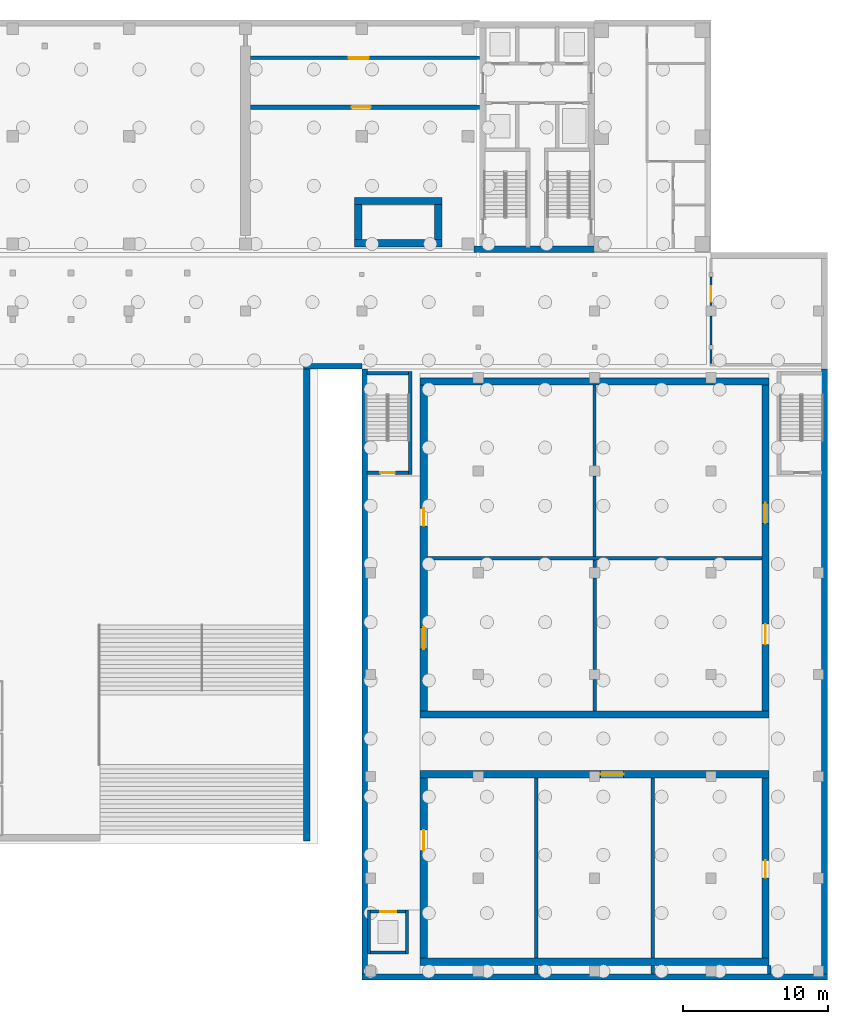
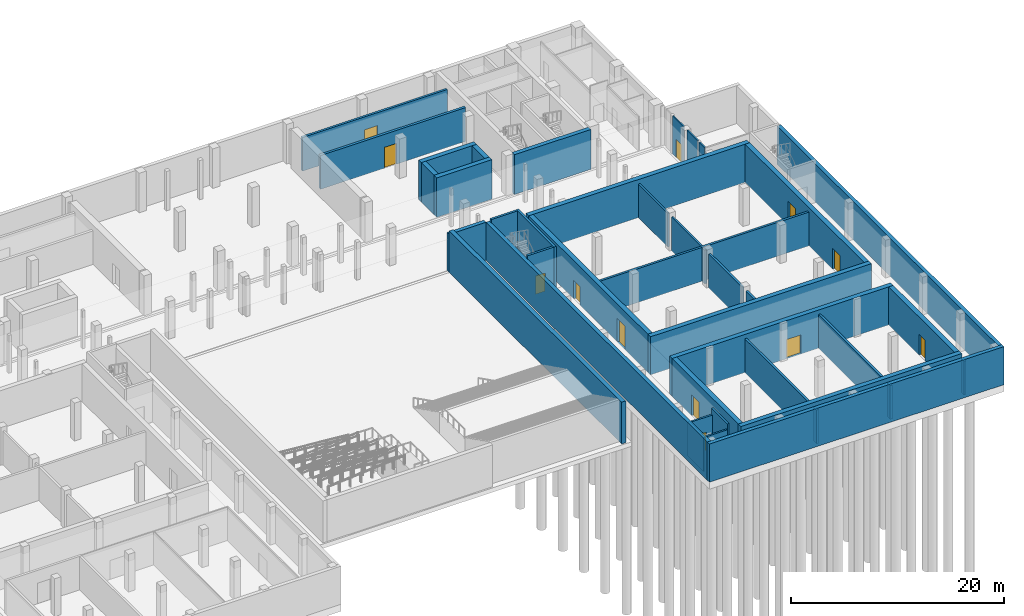
# One storey, part 8 of 21: 41 walls, 12 doors, 12 openings.
"""IFC4 building model written with IfcOpenShell, lengths in metres."""

from ifc_helpers import new_model, si_unit, direction, frame, frame_2d, origin, place, context, subcontext, project, spatial, rectangle, extrude, material, layer, layer_set, type_object, element, fill, save


model = new_model("IFC4")

# Units and contexts
model_context = context("Model", 3, precision=1e-05, world=origin(), true_north=direction((0.0, 1.0)))
body_context = subcontext(model_context, "Body", "Model", "MODEL_VIEW")
ifc_project = project(units=[si_unit("LENGTHUNIT", "METRE"), si_unit("AREAUNIT", "SQUARE_METRE"), si_unit("VOLUMEUNIT", "CUBIC_METRE"), si_unit("PLANEANGLEUNIT", "RADIAN"), si_unit("MASSUNIT", "GRAM", prefix="KILO")], contexts=[model_context])

# Site, building, storey
site_placement = place(None, origin())
site = spatial("IfcSite", under=ifc_project, at=site_placement, CompositionType="ELEMENT")
building_placement = place(site_placement, origin())
building = spatial("IfcBuilding", under=site, at=building_placement, Name="Lantern Court Media Centre", CompositionType="ELEMENT")
storey_placement = place(building_placement, frame((0.0, 0.0, -4.800048828125)))
storey = spatial("IfcBuildingStorey", under=building, at=storey_placement, Name="B1", CompositionType="ELEMENT", Elevation=-4.800048828125)

# Wall, opening, door
ifc_material_1 = material(Name="Concrete blockwork C20", Category="masonry")
ifc_layer_1 = layer(ifc_material_1, 0.280029296875)
ifc_layer_set_1 = layer_set([ifc_layer_1], Name="Concrete blockwork C20")
wall_type_1 = type_object("IfcWallType", Name="Archive humidity and fire wall 280", PredefinedType="PARTITIONING", material=ifc_layer_set_1)
wall_1_placement = place(storey_placement, frame((64.35498046875, 58.0, 0.0), z_axis=(0.0, 0.0, 1.0), x_axis=(1.0, 0.0, 0.0)))
wall_1 = element("IfcWall", 1, at=wall_1_placement, inside=storey, type_object=wall_type_1, Name="B1 partition 038", PredefinedType="PARTITIONING", context=body_context, shape_type="SweptSolid", body=[
    extrude(rectangle(XDim=15.7451171875, YDim=0.280029296875, at=frame_2d((7.87255859375, 0.0))), origin(), (0.0, 0.0, 1.0), 3.880126953125),
])
opening_1_placement = place(wall_1_placement, frame((6.945068359375, 0.0, 0.0)))
opening_1 = element("IfcOpeningElement", 2, at=opening_1_placement, cuts=wall_1, Name="Opening B1-027", PredefinedType="OPENING", context=body_context, shape_type="SweptSolid", body=[
    extrude(rectangle(XDim=1.300048828125, YDim=2.39990234375, at=frame_2d((0.64990234375, 1.199951171875))), frame((0.0, 0.14990234375, 0.0), z_axis=(0.0, -1.0, 0.0), x_axis=(1.0, 0.0, 0.0)), (0.0, 0.0, 1.0), 0.300048828125),
])
ifc_material_2 = material(Name="Steel door leaf", Category="steel")
door_type_1 = type_object("IfcDoorType", Name="Archive vault door 1300x2400", OperationType="NOTDEFINED", PredefinedType="DOOR", material=ifc_material_2)
door_1_placement = place(opening_1_placement, origin())
door_1 = element("IfcDoor", 3, at=door_1_placement, inside=storey, type_object=door_type_1, Name="B1 Film Archive Vault door", OperationType="SINGLE_SWING_RIGHT", OverallHeight=2.39990234375, OverallWidth=1.300048828125, PredefinedType="DOOR", context=body_context, shape_type="SweptSolid", body=[
    extrude(rectangle(XDim=1.300048828125, YDim=2.39990234375, at=frame_2d((0.64990234375, 1.199951171875))), frame((0.0, 0.02490234375, 0.0), z_axis=(0.0, -1.0, 0.0), x_axis=(1.0, 0.0, 0.0)), (0.0, 0.0, 1.0), 0.050048828125),
])
fill(opening_1, door_1)

# Walls
ifc_layer_2 = layer(ifc_material_1, 0.199951171875)
ifc_layer_set_2 = layer_set([ifc_layer_2], Name="Concrete blockwork C20")
wall_type_2 = type_object("IfcWallType", Name="Fire-rated blockwork wall 200", PredefinedType="PARTITIONING", material=ifc_layer_set_2)
wall_2_placement = place(storey_placement, frame((88.0, 27.1201171875, 0.0), z_axis=(0.0, 0.0, 1.0), x_axis=(0.0, 1.0, 0.0)))
element("IfcWall", 4, at=wall_2_placement, inside=storey, type_object=wall_type_2, Name="B1 partition 033", PredefinedType="PARTITIONING", context=body_context, shape_type="SweptSolid", body=[
    extrude(rectangle(XDim=5.52490234375, YDim=0.199951171875, at=frame_2d((2.762451171875, 0.0))), origin(), (0.0, 0.0, 1.0), 3.880126953125),
])
wall_3_placement = place(storey_placement, frame((88.0, 33.35498046875, 0.0), z_axis=(0.0, 0.0, 1.0), x_axis=(0.0, 1.0, 0.0)))
element("IfcWall", 5, at=wall_3_placement, inside=storey, type_object=wall_type_2, Name="B1 partition 034", PredefinedType="PARTITIONING", context=body_context, shape_type="SweptSolid", body=[
    extrude(rectangle(XDim=5.544921875, YDim=0.199951171875, at=frame_2d((2.7724609375, 0.0))), origin(), (0.0, 0.0, 1.0), 3.880126953125),
])
ifc_layer_3 = layer(ifc_material_1, 0.14990234375)
ifc_layer_set_3 = layer_set([ifc_layer_3], Name="Concrete blockwork C20")
wall_type_3 = type_object("IfcWallType", Name="Partition 150 masonry", PredefinedType="PARTITIONING", material=ifc_layer_set_3)
wall_4_placement = place(storey_placement, frame((96.0, 40.375, 0.0), z_axis=(0.0, 0.0, 1.0), x_axis=(0.0, 1.0, 0.0)))
element("IfcWall", 6, at=wall_4_placement, inside=storey, type_object=wall_type_3, Name="B1 partition 047", PredefinedType="PARTITIONING", context=body_context, shape_type="SweptSolid", body=[
    extrude(rectangle(XDim=0.969970703125, YDim=0.14990234375, at=frame_2d((0.48486328125, 0.0))), origin(), (0.0, 0.0, 1.0), 4.360107421875),
])
wall_5_placement = place(storey_placement, frame((96.0, 41.655029296875, 0.0), z_axis=(0.0, 0.0, 1.0), x_axis=(0.0, 1.0, 0.0)))
element("IfcWall", 7, at=wall_5_placement, inside=storey, type_object=wall_type_3, Name="B1 partition 048", PredefinedType="PARTITIONING", context=body_context, shape_type="SweptSolid", body=[
    extrude(rectangle(XDim=1.989990234375, YDim=0.14990234375, at=frame_2d((0.9951171875, 0.0))), origin(), (0.0, 0.0, 1.0), 4.360107421875),
])

# Wall, opening, door
wall_6_placement = place(storey_placement, frame((96.0, 44.35498046875, 0.0), z_axis=(0.0, 0.0, 1.0), x_axis=(0.0, 1.0, 0.0)))
wall_6 = element("IfcWall", 8, at=wall_6_placement, inside=storey, type_object=wall_type_3, Name="B1 partition 049", PredefinedType="PARTITIONING", context=body_context, shape_type="SweptSolid", body=[
    extrude(rectangle(XDim=1.989990234375, YDim=0.14990234375, at=frame_2d((0.9951171875, 0.0))), origin(), (0.0, 0.0, 1.0), 4.360107421875),
])
opening_2_placement = place(wall_6_placement, frame((0.281982421875, 0.0, 0.0)))
opening_2 = element("IfcOpeningElement", 9, at=opening_2_placement, cuts=wall_6, Name="Opening B1-024", PredefinedType="OPENING", context=body_context, shape_type="SweptSolid", body=[
    extrude(rectangle(XDim=1.050048828125, YDim=2.10009765625, at=frame_2d((0.52490234375, 1.050048828125))), frame((0.0, 0.0849609375, 0.0), z_axis=(0.0, -1.0, 0.0), x_axis=(1.0, 0.0, 0.0)), (0.0, 0.0, 1.0), 0.169921875),
])
door_type_2 = type_object("IfcDoorType", Name="Store fire door 1050x2100", OperationType="NOTDEFINED", PredefinedType="DOOR", material=ifc_material_2)
door_2_placement = place(opening_2_placement, frame((1.050048828125, 0.0, 0.0), z_axis=(0.0, 0.0, 1.0), x_axis=(-1.0, 0.0, 0.0)))
door_2 = element("IfcDoor", 10, at=door_2_placement, inside=storey, type_object=door_type_2, Name="B1 Metro Link Store door", OperationType="SINGLE_SWING_LEFT", OverallHeight=2.10009765625, OverallWidth=1.050048828125, PredefinedType="DOOR", context=body_context, shape_type="SweptSolid", body=[
    extrude(rectangle(XDim=1.050048828125, YDim=2.10009765625, at=frame_2d((0.52490234375, 1.050048828125))), frame((0.0, 0.02490234375, 0.0), z_axis=(0.0, -1.0, 0.0), x_axis=(1.0, 0.0, 0.0)), (0.0, 0.0, 1.0), 0.050048828125),
])
fill(opening_2, door_2)

# Walls
ifc_layer_4 = layer(ifc_material_1, 0.239990234375)
ifc_layer_set_4 = layer_set([ifc_layer_4], Name="Concrete blockwork C20")
wall_type_4 = type_object("IfcWallType", Name="Plant room acoustic fire wall 240", PredefinedType="PARTITIONING", material=ifc_layer_set_4)
wall_7_placement = place(storey_placement, frame((76.5048828125, 27.0, 0.0), z_axis=(0.0, 0.0, 1.0), x_axis=(1.0, 0.0, 0.0)))
element("IfcWall", 11, at=wall_7_placement, inside=storey, type_object=wall_type_4, Name="B1 partition 019", PredefinedType="PARTITIONING", context=body_context, shape_type="SweptSolid", body=[
    extrude(rectangle(XDim=22.990234375, YDim=0.239990234375, at=frame_2d((11.4951171875, 0.0))), origin(), (0.0, 0.0, 1.0), 3.880126953125),
])
for number, where, z_axis, x_axis, name in (
    (12, (100.0, -1.594970703125, 0.0), (0.0, 0.0, 1.0), (0.0, 1.0, 0.0), "B1 partition 025"),
    (13, (84.0, -1.594970703125, 0.0), (0.0, 0.0, 1.0), (0.0, 1.0, 0.0), "B1 partition 026"),
):
    element("IfcWall", number, at=place(storey_placement, frame(where, z_axis=z_axis, x_axis=x_axis)), inside=storey, type_object=wall_type_4, Name=name, PredefinedType="PARTITIONING", context=body_context, shape_type="SweptSolid", body=[
        extrude(rectangle(XDim=0.590087890625, YDim=0.239990234375, at=frame_2d((0.294921875, 0.0))), origin(), (0.0, 0.0, 1.0), 3.880126953125),
    ])
wall_8_placement = place(storey_placement, frame((84.0, -0.5, 0.0), z_axis=(0.0, 0.0, 1.0), x_axis=(0.0, 1.0, 0.0)))
element("IfcWall", 14, at=wall_8_placement, inside=storey, type_object=wall_type_4, Name="B1 partition 027", PredefinedType="PARTITIONING", context=body_context, shape_type="SweptSolid", body=[
    extrude(rectangle(XDim=12.39990234375, YDim=0.239990234375, at=frame_2d((6.199951171875, 0.0))), origin(), (0.0, 0.0, 1.0), 3.880126953125),
])
wall_9_placement = place(storey_placement, frame((92.0, -1.594970703125, 0.0), z_axis=(0.0, 0.0, 1.0), x_axis=(0.0, 1.0, 0.0)))
element("IfcWall", 15, at=wall_9_placement, inside=storey, type_object=wall_type_4, Name="B1 partition 028", PredefinedType="PARTITIONING", context=body_context, shape_type="SweptSolid", body=[
    extrude(rectangle(XDim=0.590087890625, YDim=0.239990234375, at=frame_2d((0.294921875, 0.0))), origin(), (0.0, 0.0, 1.0), 3.880126953125),
])
wall_10_placement = place(storey_placement, frame((92.0, -0.5, 0.0), z_axis=(0.0, 0.0, 1.0), x_axis=(0.0, 1.0, 0.0)))
element("IfcWall", 16, at=wall_10_placement, inside=storey, type_object=wall_type_4, Name="B1 partition 029", PredefinedType="PARTITIONING", context=body_context, shape_type="SweptSolid", body=[
    extrude(rectangle(XDim=12.39990234375, YDim=0.239990234375, at=frame_2d((6.199951171875, 0.0))), origin(), (0.0, 0.0, 1.0), 3.880126953125),
])
wall_11_placement = place(storey_placement, frame((88.0, 16.5048828125, 0.0), z_axis=(0.0, 0.0, 1.0), x_axis=(0.0, 1.0, 0.0)))
element("IfcWall", 17, at=wall_11_placement, inside=storey, type_object=wall_type_4, Name="B1 partition 030", PredefinedType="PARTITIONING", context=body_context, shape_type="SweptSolid", body=[
    extrude(rectangle(XDim=2.14013671875, YDim=0.239990234375, at=frame_2d((1.070068359375, 0.0))), origin(), (0.0, 0.0, 1.0), 3.880126953125),
])
wall_12_placement = place(storey_placement, frame((88.0, 19.35498046875, 0.0), z_axis=(0.0, 0.0, 1.0), x_axis=(0.0, 1.0, 0.0)))
element("IfcWall", 18, at=wall_12_placement, inside=storey, type_object=wall_type_4, Name="B1 partition 031", PredefinedType="PARTITIONING", context=body_context, shape_type="SweptSolid", body=[
    extrude(rectangle(XDim=6.2900390625, YDim=0.239990234375, at=frame_2d((3.14501953125, 0.0))), origin(), (0.0, 0.0, 1.0), 3.880126953125),
])
wall_13_placement = place(storey_placement, frame((88.0, 26.35498046875, 0.0), z_axis=(0.0, 0.0, 1.0), x_axis=(0.0, 1.0, 0.0)))
element("IfcWall", 19, at=wall_13_placement, inside=storey, type_object=wall_type_4, Name="B1 partition 032", PredefinedType="PARTITIONING", context=body_context, shape_type="SweptSolid", body=[
    extrude(rectangle(XDim=0.52490234375, YDim=0.239990234375, at=frame_2d((0.262451171875, 0.0))), origin(), (0.0, 0.0, 1.0), 3.880126953125),
])

# Wall, opening, door
wall_14_placement = place(storey_placement, frame((64.35498046875, 61.39990234375, 0.0), z_axis=(0.0, 0.0, 1.0), x_axis=(1.0, 0.0, 0.0)))
wall_14 = element("IfcWall", 20, at=wall_14_placement, inside=storey, type_object=wall_type_4, Name="B1 partition 040", PredefinedType="PARTITIONING", context=body_context, shape_type="SweptSolid", body=[
    extrude(rectangle(XDim=15.7451171875, YDim=0.239990234375, at=frame_2d((7.87255859375, 0.0))), origin(), (0.0, 0.0, 1.0), 3.880126953125),
])
opening_3_placement = place(wall_14_placement, frame((6.7333984375, 0.0, 0.0)))
opening_3 = element("IfcOpeningElement", 21, at=opening_3_placement, cuts=wall_14, Name="Opening B1-028", PredefinedType="OPENING", context=body_context, shape_type="SweptSolid", body=[
    extrude(rectangle(XDim=1.39990234375, YDim=2.39990234375, at=frame_2d((0.699951171875, 1.199951171875))), frame((0.0, 0.1298828125, 0.0), z_axis=(0.0, -1.0, 0.0), x_axis=(1.0, 0.0, 0.0)), (0.0, 0.0, 1.0), 0.260009765625),
])
door_type_3 = type_object("IfcDoorType", Name="Plant room fire door 1400x2400", OperationType="NOTDEFINED", PredefinedType="DOOR", material=ifc_material_2)
door_3_placement = place(opening_3_placement, origin())
door_3 = element("IfcDoor", 22, at=door_3_placement, inside=storey, type_object=door_type_3, Name="B1 Archive Air Handling Room door", OperationType="SINGLE_SWING_LEFT", OverallHeight=2.39990234375, OverallWidth=1.39990234375, PredefinedType="DOOR", context=body_context, shape_type="SweptSolid", body=[
    extrude(rectangle(XDim=1.39990234375, YDim=2.39990234375, at=frame_2d((0.699951171875, 1.199951171875))), frame((0.0, 0.02490234375, 0.0), z_axis=(0.0, -1.0, 0.0), x_axis=(1.0, 0.0, 0.0)), (0.0, 0.0, 1.0), 0.050048828125),
])
fill(opening_3, door_3)

# Walls
ifc_material_3 = material(Name="Concrete C40", Category="concrete")
ifc_layer_5 = layer(ifc_material_3, 0.5)
ifc_layer_set_5 = layer_set([ifc_layer_5], Name="Concrete C40")
wall_type_5 = type_object("IfcWallType", Name="RC BASEMENT BOX WALL 500", PredefinedType="SHEAR", material=ifc_layer_set_5)
for number, where, z_axis, x_axis, name in (
    (23, (71.5, 48.64990234375, 0.0), (0.0, 0.0, 1.0), (1.0, 0.0, 0.0), "WB-S-LC2-B1-S"),
    (24, (71.5, 51.550048828125, 0.0), (0.0, 0.0, 1.0), (1.0, 0.0, 0.0), "WB-S-LC2-B1-N"),
):
    element("IfcWall", number, at=place(storey_placement, frame(where, z_axis=z_axis, x_axis=x_axis)), inside=storey, type_object=wall_type_5, Name=name, PredefinedType="SHEAR", context=body_context, shape_type="SweptSolid", body=[
        extrude(rectangle(XDim=6.0, YDim=0.5, at=frame_2d((3.0, 0.0))), origin(), (0.0, 0.0, 1.0), 4.550048828125),
    ])
for number, where, z_axis, x_axis, name in (
    (25, (71.75, 48.89990234375, 0.0), (0.0, 0.0, 1.0), (0.0, 1.0, 0.0), "WB-S-LC2-B1-W"),
    (26, (77.25, 48.89990234375, 0.0), (0.0, 0.0, 1.0), (0.0, 1.0, 0.0), "WB-S-LC2-B1-E"),
):
    element("IfcWall", number, at=place(storey_placement, frame(where, z_axis=z_axis, x_axis=x_axis)), inside=storey, type_object=wall_type_5, Name=name, PredefinedType="SHEAR", context=body_context, shape_type="SweptSolid", body=[
        extrude(rectangle(XDim=2.400146484375, YDim=0.5, at=frame_2d((1.2001953125, 0.0))), origin(), (0.0, 0.0, 1.0), 4.550048828125),
    ])
for number, where, z_axis, x_axis, name in (
    (27, (76.0, 16.25, 0.0), (0.0, 0.0, 1.0), (1.0, 0.0, 0.0), "WB-V2-STA-B1-S"),
    (28, (76.0, 39.14990234375, 0.0), (0.0, 0.0, 1.0), (1.0, 0.0, 0.0), "WB-V2-STA-B1-N"),
):
    element("IfcWall", number, at=place(storey_placement, frame(where, z_axis=z_axis, x_axis=x_axis)), inside=storey, type_object=wall_type_5, Name=name, PredefinedType="SHEAR", context=body_context, shape_type="SweptSolid", body=[
        extrude(rectangle(XDim=24.0, YDim=0.5, at=frame_2d((12.0, 0.0))), origin(), (0.0, 0.0, 1.0), 4.380126953125),
    ])

# Wall, openings, doors
wall_15_placement = place(storey_placement, frame((76.25, 16.5, 0.0), z_axis=(0.0, 0.0, 1.0), x_axis=(0.0, 1.0, 0.0)))
wall_15 = element("IfcWall", 29, at=wall_15_placement, inside=storey, type_object=wall_type_5, Name="WB-V2-STA-B1-W", PredefinedType="SHEAR", context=body_context, shape_type="SweptSolid", body=[
    extrude(rectangle(XDim=22.39990234375, YDim=0.5, at=frame_2d((11.199951171875, 0.0))), origin(), (0.0, 0.0, 1.0), 4.380126953125),
])
opening_4_placement = place(wall_15_placement, frame((4.25, 0.0, 0.0)))
opening_4 = element("IfcOpeningElement", 30, at=opening_4_placement, cuts=wall_15, Name="Opening B1-019", PredefinedType="OPENING", context=body_context, shape_type="SweptSolid", body=[
    extrude(rectangle(XDim=1.5, YDim=2.699951171875, at=frame_2d((0.75, 1.35009765625))), frame((0.0, 0.260009765625, 0.0), z_axis=(0.0, -1.0, 0.0), x_axis=(1.0, 0.0, 0.0)), (0.0, 0.0, 1.0), 0.52001953125),
])
opening_5_placement = place(wall_15_placement, frame((12.72509765625, 0.0, 0.0)))
opening_5 = element("IfcOpeningElement", 31, at=opening_5_placement, cuts=wall_15, Name="Opening B1-021", PredefinedType="OPENING", context=body_context, shape_type="SweptSolid", body=[
    extrude(rectangle(XDim=1.199951171875, YDim=2.10009765625, at=frame_2d((0.60009765625, 1.050048828125))), frame((0.0, 0.260009765625, 0.0), z_axis=(0.0, -1.0, 0.0), x_axis=(1.0, 0.0, 0.0)), (0.0, 0.0, 1.0), 0.52001953125),
])
door_type_4 = type_object("IfcDoorType", Name="Generator hall fire door 1500x2700", OperationType="NOTDEFINED", PredefinedType="DOOR", material=ifc_material_2)
door_4_placement = place(opening_4_placement, origin())
door_4 = element("IfcDoor", 32, at=door_4_placement, inside=storey, type_object=door_type_4, Name="B1 Standby Generator Hall door", OperationType="SINGLE_SWING_RIGHT", OverallHeight=2.699951171875, OverallWidth=1.5, PredefinedType="DOOR", context=body_context, shape_type="SweptSolid", body=[
    extrude(rectangle(XDim=1.5, YDim=2.699951171875, at=frame_2d((0.75, 1.35009765625))), frame((0.0, 0.02490234375, 0.0), z_axis=(0.0, -1.0, 0.0), x_axis=(1.0, 0.0, 0.0)), (0.0, 0.0, 1.0), 0.050048828125),
])
fill(opening_4, door_4)
door_type_5 = type_object("IfcDoorType", Name="Large store fire door 1200x2100", OperationType="NOTDEFINED", PredefinedType="DOOR", material=ifc_material_2)
door_5_placement = place(opening_5_placement, origin())
door_5 = element("IfcDoor", 33, at=door_5_placement, inside=storey, type_object=door_type_5, Name="B1 Studio Equipment Store door", OperationType="SINGLE_SWING_RIGHT", OverallHeight=2.10009765625, OverallWidth=1.199951171875, PredefinedType="DOOR", context=body_context, shape_type="SweptSolid", body=[
    extrude(rectangle(XDim=1.199951171875, YDim=2.10009765625, at=frame_2d((0.60009765625, 1.050048828125))), frame((0.0, 0.02490234375, 0.0), z_axis=(0.0, -1.0, 0.0), x_axis=(1.0, 0.0, 0.0)), (0.0, 0.0, 1.0), 0.050048828125),
])
fill(opening_5, door_5)

wall_16_placement = place(storey_placement, frame((99.75, 16.5, 0.0), z_axis=(0.0, 0.0, 1.0), x_axis=(0.0, 1.0, 0.0)))
wall_16 = element("IfcWall", 34, at=wall_16_placement, inside=storey, type_object=wall_type_5, Name="WB-V2-STA-B1-E", PredefinedType="SHEAR", context=body_context, shape_type="SweptSolid", body=[
    extrude(rectangle(XDim=22.39990234375, YDim=0.5, at=frame_2d((11.199951171875, 0.0))), origin(), (0.0, 0.0, 1.0), 4.380126953125),
])
opening_6_placement = place(wall_16_placement, frame((4.574951171875, 0.0, 0.0)))
opening_6 = element("IfcOpeningElement", 35, at=opening_6_placement, cuts=wall_16, Name="Opening B1-020", PredefinedType="OPENING", context=body_context, shape_type="SweptSolid", body=[
    extrude(rectangle(XDim=1.39990234375, YDim=2.39990234375, at=frame_2d((0.699951171875, 1.199951171875))), frame((0.0, 0.260009765625, 0.0), z_axis=(0.0, -1.0, 0.0), x_axis=(1.0, 0.0, 0.0)), (0.0, 0.0, 1.0), 0.52001953125),
])
opening_7_placement = place(wall_16_placement, frame((12.89990234375, 0.0, 0.0)))
opening_7 = element("IfcOpeningElement", 36, at=opening_7_placement, cuts=wall_16, Name="Opening B1-022", PredefinedType="OPENING", context=body_context, shape_type="SweptSolid", body=[
    extrude(rectangle(XDim=1.39990234375, YDim=2.699951171875, at=frame_2d((0.699951171875, 1.35009765625))), frame((0.0, 0.260009765625, 0.0), z_axis=(0.0, -1.0, 0.0), x_axis=(1.0, 0.0, 0.0)), (0.0, 0.0, 1.0), 0.52001953125),
])
door_6_placement = place(opening_6_placement, frame((1.39990234375, 0.0, 0.0), z_axis=(0.0, 0.0, 1.0), x_axis=(-1.0, 0.0, 0.0)))
door_6 = element("IfcDoor", 37, at=door_6_placement, inside=storey, type_object=door_type_3, Name="B1 Studio Air Handling Plant Room door", OperationType="SINGLE_SWING_LEFT", OverallHeight=2.39990234375, OverallWidth=1.39990234375, PredefinedType="DOOR", context=body_context, shape_type="SweptSolid", body=[
    extrude(rectangle(XDim=1.39990234375, YDim=2.39990234375, at=frame_2d((0.699951171875, 1.199951171875))), frame((0.0, 0.02490234375, 0.0), z_axis=(0.0, -1.0, 0.0), x_axis=(1.0, 0.0, 0.0)), (0.0, 0.0, 1.0), 0.050048828125),
])
fill(opening_6, door_6)
door_type_6 = type_object("IfcDoorType", Name="Scenery store fire door 1400x2700", OperationType="NOTDEFINED", PredefinedType="DOOR", material=ifc_material_2)
door_7_placement = place(opening_7_placement, frame((1.39990234375, 0.0, 0.0), z_axis=(0.0, 0.0, 1.0), x_axis=(-1.0, 0.0, 0.0)))
door_7 = element("IfcDoor", 38, at=door_7_placement, inside=storey, type_object=door_type_6, Name="B1 Scenery Store door", OperationType="SINGLE_SWING_LEFT", OverallHeight=2.699951171875, OverallWidth=1.39990234375, PredefinedType="DOOR", context=body_context, shape_type="SweptSolid", body=[
    extrude(rectangle(XDim=1.39990234375, YDim=2.699951171875, at=frame_2d((0.699951171875, 1.35009765625))), frame((0.0, 0.02490234375, 0.0), z_axis=(0.0, -1.0, 0.0), x_axis=(1.0, 0.0, 0.0)), (0.0, 0.0, 1.0), 0.050048828125),
])
fill(opening_7, door_7)

# Wall
wall_17_placement = place(storey_placement, frame((76.0, -0.75, 0.0), z_axis=(0.0, 0.0, 1.0), x_axis=(1.0, 0.0, 0.0)))
element("IfcWall", 39, at=wall_17_placement, inside=storey, type_object=wall_type_5, Name="WB-V2-STB-B1-S", PredefinedType="SHEAR", context=body_context, shape_type="SweptSolid", body=[
    extrude(rectangle(XDim=24.0, YDim=0.5, at=frame_2d((12.0, 0.0))), origin(), (0.0, 0.0, 1.0), 4.380126953125),
])

# Wall, opening, door
wall_18_placement = place(storey_placement, frame((76.0, 12.14990234375, 0.0), z_axis=(0.0, 0.0, 1.0), x_axis=(1.0, 0.0, 0.0)))
wall_18 = element("IfcWall", 40, at=wall_18_placement, inside=storey, type_object=wall_type_5, Name="WB-V2-STB-B1-N", PredefinedType="SHEAR", context=body_context, shape_type="SweptSolid", body=[
    extrude(rectangle(XDim=24.0, YDim=0.5, at=frame_2d((12.0, 0.0))), origin(), (0.0, 0.0, 1.0), 4.380126953125),
])
opening_8_placement = place(wall_18_placement, frame((12.39990234375, 0.0, 0.0)))
opening_8 = element("IfcOpeningElement", 41, at=opening_8_placement, cuts=wall_18, Name="Opening B1-017", PredefinedType="OPENING", context=body_context, shape_type="SweptSolid", body=[
    extrude(rectangle(XDim=1.60009765625, YDim=2.199951171875, at=frame_2d((0.800048828125, 1.10009765625))), frame((0.0, 0.260009765625, 0.0), z_axis=(0.0, -1.0, 0.0), x_axis=(1.0, 0.0, 0.0)), (0.0, 0.0, 1.0), 0.52001953125),
])
ifc_material_4 = material(Name="Solid-core timber door leaf", Category="wood")
door_type_7 = type_object("IfcDoorType", Name="Double door 1600x2200", OperationType="NOTDEFINED", PredefinedType="DOOR", material=ifc_material_4)
door_8_placement = place(opening_8_placement, origin())
door_8 = element("IfcDoor", 42, at=door_8_placement, inside=storey, type_object=door_type_7, Name="B1 Studio Hall Switchroom door", OperationType="DOUBLE_DOOR_SINGLE_SWING", OverallHeight=2.199951171875, OverallWidth=1.60009765625, PredefinedType="DOOR", context=body_context, shape_type="SweptSolid", body=[
    extrude(rectangle(XDim=1.60009765625, YDim=2.199951171875, at=frame_2d((0.800048828125, 1.10009765625))), frame((0.0, 0.02490234375, 0.0), z_axis=(0.0, -1.0, 0.0), x_axis=(1.0, 0.0, 0.0)), (0.0, 0.0, 1.0), 0.050048828125),
])
fill(opening_8, door_8)

wall_19_placement = place(storey_placement, frame((76.25, -0.5, 0.0), z_axis=(0.0, 0.0, 1.0), x_axis=(0.0, 1.0, 0.0)))
wall_19 = element("IfcWall", 43, at=wall_19_placement, inside=storey, type_object=wall_type_5, Name="WB-V2-STB-B1-W", PredefinedType="SHEAR", context=body_context, shape_type="SweptSolid", body=[
    extrude(rectangle(XDim=12.39990234375, YDim=0.5, at=frame_2d((6.199951171875, 0.0))), origin(), (0.0, 0.0, 1.0), 4.380126953125),
])
opening_9_placement = place(wall_19_placement, frame((7.39990234375, 0.0, 0.0)))
opening_9 = element("IfcOpeningElement", 44, at=opening_9_placement, cuts=wall_19, Name="Opening B1-016", PredefinedType="OPENING", context=body_context, shape_type="SweptSolid", body=[
    extrude(rectangle(XDim=1.39990234375, YDim=2.39990234375, at=frame_2d((0.699951171875, 1.199951171875))), frame((0.0, 0.260009765625, 0.0), z_axis=(0.0, -1.0, 0.0), x_axis=(1.0, 0.0, 0.0)), (0.0, 0.0, 1.0), 0.52001953125),
])
door_9_placement = place(opening_9_placement, origin())
door_9 = element("IfcDoor", 45, at=door_9_placement, inside=storey, type_object=door_type_3, Name="B1 Chiller Plant Room door", OperationType="SINGLE_SWING_LEFT", OverallHeight=2.39990234375, OverallWidth=1.39990234375, PredefinedType="DOOR", context=body_context, shape_type="SweptSolid", body=[
    extrude(rectangle(XDim=1.39990234375, YDim=2.39990234375, at=frame_2d((0.699951171875, 1.199951171875))), frame((0.0, 0.02490234375, 0.0), z_axis=(0.0, -1.0, 0.0), x_axis=(1.0, 0.0, 0.0)), (0.0, 0.0, 1.0), 0.050048828125),
])
fill(opening_9, door_9)

wall_20_placement = place(storey_placement, frame((99.75, -0.5, 0.0), z_axis=(0.0, 0.0, 1.0), x_axis=(0.0, 1.0, 0.0)))
wall_20 = element("IfcWall", 46, at=wall_20_placement, inside=storey, type_object=wall_type_5, Name="WB-V2-STB-B1-E", PredefinedType="SHEAR", context=body_context, shape_type="SweptSolid", body=[
    extrude(rectangle(XDim=12.39990234375, YDim=0.5, at=frame_2d((6.199951171875, 0.0))), origin(), (0.0, 0.0, 1.0), 4.380126953125),
])
opening_10_placement = place(wall_20_placement, frame((5.52490234375, 0.0, 0.0)))
opening_10 = element("IfcOpeningElement", 47, at=opening_10_placement, cuts=wall_20, Name="Opening B1-018", PredefinedType="OPENING", context=body_context, shape_type="SweptSolid", body=[
    extrude(rectangle(XDim=1.199951171875, YDim=2.39990234375, at=frame_2d((0.60009765625, 1.199951171875))), frame((0.0, 0.260009765625, 0.0), z_axis=(0.0, -1.0, 0.0), x_axis=(1.0, 0.0, 0.0)), (0.0, 0.0, 1.0), 0.52001953125),
])
door_type_8 = type_object("IfcDoorType", Name="Plant room fire door 1200x2400", OperationType="NOTDEFINED", PredefinedType="DOOR", material=ifc_material_2)
door_10_placement = place(opening_10_placement, frame((1.199951171875, 0.0, 0.0), z_axis=(0.0, 0.0, 1.0), x_axis=(-1.0, 0.0, 0.0)))
door_10 = element("IfcDoor", 48, at=door_10_placement, inside=storey, type_object=door_type_8, Name="B1 UPS and Battery Room door", OperationType="SINGLE_SWING_LEFT", OverallHeight=2.39990234375, OverallWidth=1.199951171875, PredefinedType="DOOR", context=body_context, shape_type="SweptSolid", body=[
    extrude(rectangle(XDim=1.199951171875, YDim=2.39990234375, at=frame_2d((0.60009765625, 1.199951171875))), frame((0.0, 0.02490234375, 0.0), z_axis=(0.0, -1.0, 0.0), x_axis=(1.0, 0.0, 0.0)), (0.0, 0.0, 1.0), 0.050048828125),
])
fill(opening_10, door_10)

# Walls
ifc_layer_6 = layer(ifc_material_3, 0.449951171875)
ifc_layer_set_6 = layer_set([ifc_layer_6], Name="Concrete C40")
wall_type_6 = type_object("IfcWallType", Name="RC BASEMENT CORE WALL 450", PredefinedType="SHEAR", material=ifc_layer_set_6)
wall_21_placement = place(storey_placement, frame((79.699951171875, 48.22509765625, 0.0), z_axis=(0.0, 0.0, 1.0), x_axis=(1.0, 0.0, 0.0)))
element("IfcWall", 49, at=wall_21_placement, inside=storey, type_object=wall_type_6, Name="WC-SE-B1-S", PredefinedType="SHEAR", context=body_context, shape_type="SweptSolid", body=[
    extrude(rectangle(XDim=8.300048828125, YDim=0.449951171875, at=frame_2d((4.14990234375, 0.0))), origin(), (0.0, 0.0, 1.0), 4.580078125),
])
ifc_material_5 = material(Name="Concrete C35", Category="concrete")
ifc_layer_7 = layer(ifc_material_5, 0.39990234375)
ifc_layer_set_7 = layer_set([ifc_layer_7], Name="Concrete C35")
wall_type_7 = type_object("IfcWallType", Name="RC RETAINING WALL 400", PredefinedType="SOLIDWALL", material=ifc_layer_set_7)
wall_22_placement = place(storey_placement, frame((68.0, 40.199951171875, 0.0), z_axis=(0.0, 0.0, 1.0), x_axis=(1.0, 0.0, 0.0)))
element("IfcWall", 50, at=wall_22_placement, inside=storey, type_object=wall_type_7, Name="WR-B1-1", PredefinedType="SOLIDWALL", context=body_context, shape_type="SweptSolid", body=[
    extrude(rectangle(XDim=4.0, YDim=0.39990234375, at=frame_2d((2.0, 0.0))), origin(), (0.0, 0.0, 1.0), 4.380126953125),
])
wall_23_placement = place(storey_placement, frame((72.0, -1.800048828125, 0.0), z_axis=(0.0, 0.0, 1.0), x_axis=(1.0, 0.0, 0.0)))
element("IfcWall", 51, at=wall_23_placement, inside=storey, type_object=wall_type_7, Name="WR-B1-2", PredefinedType="SOLIDWALL", context=body_context, shape_type="SweptSolid", body=[
    extrude(rectangle(XDim=32.0, YDim=0.39990234375, at=frame_2d((16.0, 0.0))), origin(), (0.0, 0.0, 1.0), 4.380126953125),
])
for number, where, z_axis, x_axis, name in (
    (52, (72.199951171875, -1.60009765625, 0.0), (0.0, 0.0, 1.0), (0.0, 1.0, 0.0), "WR-B1-8"),
    (53, (103.800048828125, -1.60009765625, 0.0), (0.0, 0.0, 1.0), (0.0, 1.0, 0.0), "WR-B1-9"),
):
    element("IfcWall", number, at=place(storey_placement, frame(where, z_axis=z_axis, x_axis=x_axis)), inside=storey, type_object=wall_type_7, Name=name, PredefinedType="SOLIDWALL", context=body_context, shape_type="SweptSolid", body=[
        extrude(rectangle(XDim=41.60009765625, YDim=0.39990234375, at=frame_2d((20.800048828125, 0.0))), origin(), (0.0, 0.0, 1.0), 4.380126953125),
    ])
ifc_layer_8 = layer(ifc_material_5, 0.449951171875)
ifc_layer_set_8 = layer_set([ifc_layer_8], Name="Concrete C35")
wall_type_8 = type_object("IfcWallType", Name="RC RETAINING WALL 450", PredefinedType="SOLIDWALL", material=ifc_layer_set_8)
wall_24_placement = place(storey_placement, frame((68.22509765625, 7.550048828125, 0.0), z_axis=(0.0, 0.0, 1.0), x_axis=(0.0, 1.0, 0.0)))
element("IfcWall", 54, at=wall_24_placement, inside=storey, type_object=wall_type_8, Name="WR-FC-E", PredefinedType="SOLIDWALL", context=body_context, shape_type="SweptSolid", body=[
    extrude(rectangle(XDim=32.449951171875, YDim=0.449951171875, at=frame_2d((16.22509765625, 0.0))), origin(), (0.0, 0.0, 1.0), 4.800048828125),
])
ifc_layer_9 = layer(ifc_material_3, 0.199951171875)
ifc_layer_set_9 = layer_set([ifc_layer_9], Name="Concrete C40")
wall_type_9 = type_object("IfcWallType", Name="RC lift shaft wall 200", PredefinedType="SOLIDWALL", material=ifc_layer_set_9)
wall_25_placement = place(storey_placement, frame((72.5, -0.199951171875, 0.0), z_axis=(0.0, 0.0, 1.0), x_axis=(0.0, 1.0, 0.0)))
element("IfcWall", 55, at=wall_25_placement, inside=storey, type_object=wall_type_9, Name="B1 V2-LIFT shaft wall W", PredefinedType="SOLIDWALL", context=body_context, shape_type="SweptSolid", body=[
    extrude(rectangle(XDim=3.0, YDim=0.199951171875, at=frame_2d((1.5, 0.0))), origin(), (0.0, 0.0, 1.0), 3.880126953125),
])
wall_26_placement = place(storey_placement, frame((75.10009765625, -0.199951171875, 0.0), z_axis=(0.0, 0.0, 1.0), x_axis=(0.0, 1.0, 0.0)))
element("IfcWall", 56, at=wall_26_placement, inside=storey, type_object=wall_type_9, Name="B1 V2-LIFT shaft wall E", PredefinedType="SOLIDWALL", context=body_context, shape_type="SweptSolid", body=[
    extrude(rectangle(XDim=3.0, YDim=0.199951171875, at=frame_2d((1.5, 0.0))), origin(), (0.0, 0.0, 1.0), 4.550048828125),
])
wall_27_placement = place(storey_placement, frame((72.60009765625, -0.10009765625, 0.0), z_axis=(0.0, 0.0, 1.0), x_axis=(1.0, 0.0, 0.0)))
element("IfcWall", 57, at=wall_27_placement, inside=storey, type_object=wall_type_9, Name="B1 V2-LIFT shaft wall S", PredefinedType="SOLIDWALL", context=body_context, shape_type="SweptSolid", body=[
    extrude(rectangle(XDim=2.39990234375, YDim=0.199951171875, at=frame_2d((1.199951171875, 0.0))), origin(), (0.0, 0.0, 1.0), 3.880126953125),
])

# Wall, opening, door
wall_28_placement = place(storey_placement, frame((72.60009765625, 2.699951171875, 0.0), z_axis=(0.0, 0.0, 1.0), x_axis=(1.0, 0.0, 0.0)))
wall_28 = element("IfcWall", 58, at=wall_28_placement, inside=storey, type_object=wall_type_9, Name="B1 V2-LIFT shaft wall N", PredefinedType="SOLIDWALL", context=body_context, shape_type="SweptSolid", body=[
    extrude(rectangle(XDim=2.39990234375, YDim=0.199951171875, at=frame_2d((1.199951171875, 0.0))), origin(), (0.0, 0.0, 1.0), 3.880126953125),
])
opening_11_placement = place(wall_28_placement, frame((0.64990234375, 0.0, 0.0)))
opening_11 = element("IfcOpeningElement", 59, at=opening_11_placement, cuts=wall_28, Name="Opening LD-V2-LIFT-B1", PredefinedType="OPENING", context=body_context, shape_type="SweptSolid", body=[
    extrude(rectangle(XDim=1.10009765625, YDim=2.10009765625, at=frame_2d((0.550048828125, 1.050048828125))), frame((0.0, 0.10986328125, 0.0), z_axis=(0.0, -1.0, 0.0), x_axis=(1.0, 0.0, 0.0)), (0.0, 0.0, 1.0), 0.219970703125),
])
door_type_9 = type_object("IfcDoorType", Name="Lift landing door 1100x2100", OperationType="DOUBLE_DOOR_SLIDING", PredefinedType="DOOR", material=ifc_material_2)
door_11_placement = place(opening_11_placement, origin())
door_11 = element("IfcDoor", 60, at=door_11_placement, inside=storey, type_object=door_type_9, Name="B1 V2-LIFT lift landing door", OperationType="DOUBLE_DOOR_SLIDING", OverallHeight=2.10009765625, OverallWidth=1.10009765625, PredefinedType="DOOR", context=body_context, shape_type="SweptSolid", body=[
    extrude(rectangle(XDim=1.10009765625, YDim=2.10009765625, at=frame_2d((0.550048828125, 1.050048828125))), frame((0.0, 0.02490234375, 0.0), z_axis=(0.0, -1.0, 0.0), x_axis=(1.0, 0.0, 0.0)), (0.0, 0.0, 1.0), 0.050048828125),
])
fill(opening_11, door_11)

# Wall
ifc_layer_10 = layer(ifc_material_3, 0.25)
ifc_layer_set_10 = layer_set([ifc_layer_10], Name="Concrete C40")
wall_type_10 = type_object("IfcWallType", Name="RC stair shaft wall 250", PredefinedType="SOLIDWALL", material=ifc_layer_set_10)
wall_29_placement = place(storey_placement, frame((75.324951171875, 32.75, 0.0), z_axis=(0.0, 0.0, 1.0), x_axis=(0.0, 1.0, 0.0)))
element("IfcWall", 61, at=wall_29_placement, inside=storey, type_object=wall_type_10, Name="B1 V2-ST-W shaft wall E", PredefinedType="SOLIDWALL", context=body_context, shape_type="SweptSolid", body=[
    extrude(rectangle(XDim=7.10009765625, YDim=0.25, at=frame_2d((3.550048828125, 0.0))), origin(), (0.0, 0.0, 1.0), 4.800048828125),
])

# Wall, opening, door
wall_30_placement = place(storey_placement, frame((72.35009765625, 32.875, 0.0), z_axis=(0.0, 0.0, 1.0), x_axis=(1.0, 0.0, 0.0)))
wall_30 = element("IfcWall", 62, at=wall_30_placement, inside=storey, type_object=wall_type_10, Name="B1 V2-ST-W shaft wall S", PredefinedType="SOLIDWALL", context=body_context, shape_type="SweptSolid", body=[
    extrude(rectangle(XDim=2.849853515625, YDim=0.25, at=frame_2d((1.4248046875, 0.0))), origin(), (0.0, 0.0, 1.0), 4.800048828125),
])
opening_12_placement = place(wall_30_placement, frame((0.925048828125, 0.0, 0.0)))
opening_12 = element("IfcOpeningElement", 63, at=opening_12_placement, cuts=wall_30, Name="Opening V2-ST-W-B1-01", PredefinedType="OPENING", context=body_context, shape_type="SweptSolid", body=[
    extrude(rectangle(XDim=1.0, YDim=2.10009765625, at=frame_2d((0.5, 1.050048828125))), frame((0.0, 0.135009765625, 0.0), z_axis=(0.0, -1.0, 0.0), x_axis=(1.0, 0.0, 0.0)), (0.0, 0.0, 1.0), 0.27001953125),
])
door_type_10 = type_object("IfcDoorType", Name="Stair door 1000x2100", OperationType="NOTDEFINED", PredefinedType="DOOR", material=ifc_material_2)
door_12_placement = place(opening_12_placement, frame((1.0, 0.0, 0.0), z_axis=(0.0, 0.0, 1.0), x_axis=(-1.0, 0.0, 0.0)))
door_12 = element("IfcDoor", 64, at=door_12_placement, inside=storey, type_object=door_type_10, Name="B1 V2-ST-W stair door", OperationType="SINGLE_SWING_LEFT", OverallHeight=2.10009765625, OverallWidth=1.0, PredefinedType="DOOR", context=body_context, shape_type="SweptSolid", body=[
    extrude(rectangle(XDim=1.0, YDim=2.10009765625, at=frame_2d((0.5, 1.050048828125))), frame((0.0, 0.02490234375, 0.0), z_axis=(0.0, -1.0, 0.0), x_axis=(1.0, 0.0, 0.0)), (0.0, 0.0, 1.0), 0.050048828125),
])
fill(opening_12, door_12)

# Wall
wall_31_placement = place(storey_placement, frame((72.35009765625, 39.72509765625, 0.0), z_axis=(0.0, 0.0, 1.0), x_axis=(1.0, 0.0, 0.0)))
element("IfcWall", 65, at=wall_31_placement, inside=storey, type_object=wall_type_10, Name="B1 V2-ST-W shaft wall N", PredefinedType="SOLIDWALL", context=body_context, shape_type="SweptSolid", body=[
    extrude(rectangle(XDim=2.849853515625, YDim=0.25, at=frame_2d((1.4248046875, 0.0))), origin(), (0.0, 0.0, 1.0), 4.800048828125),
])

save(model, "model.ifc")
